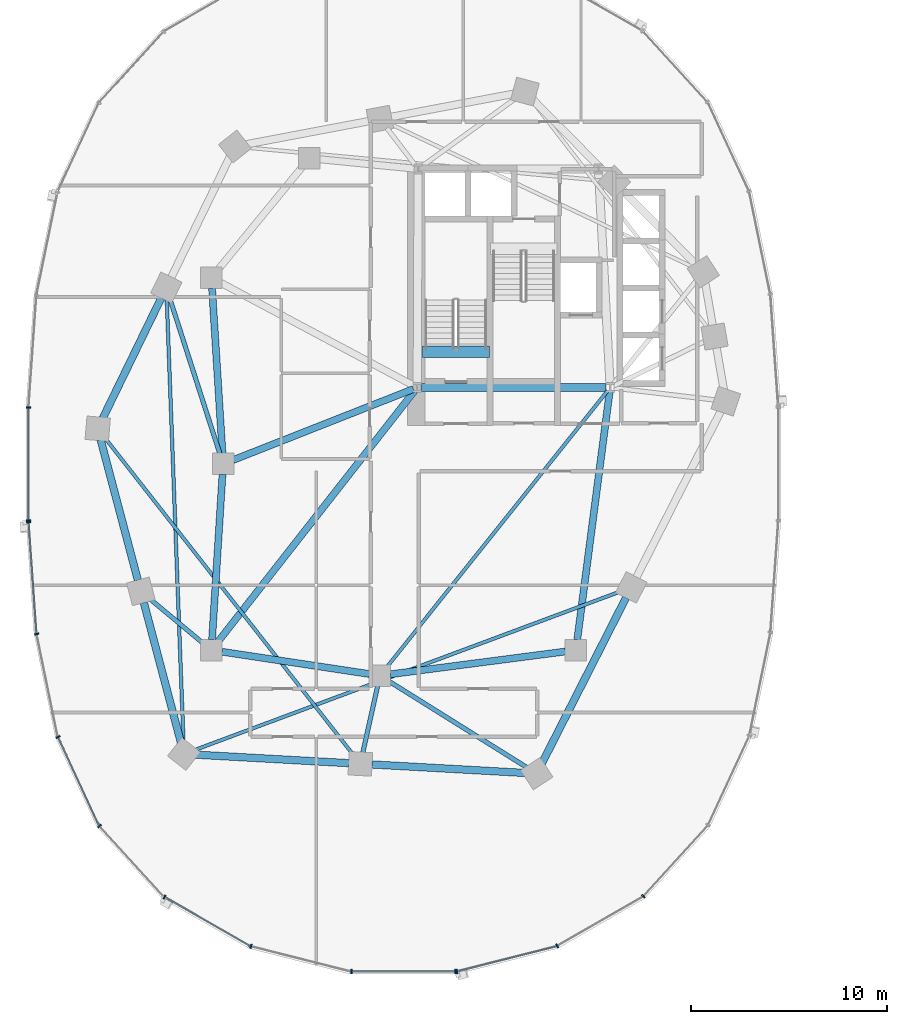
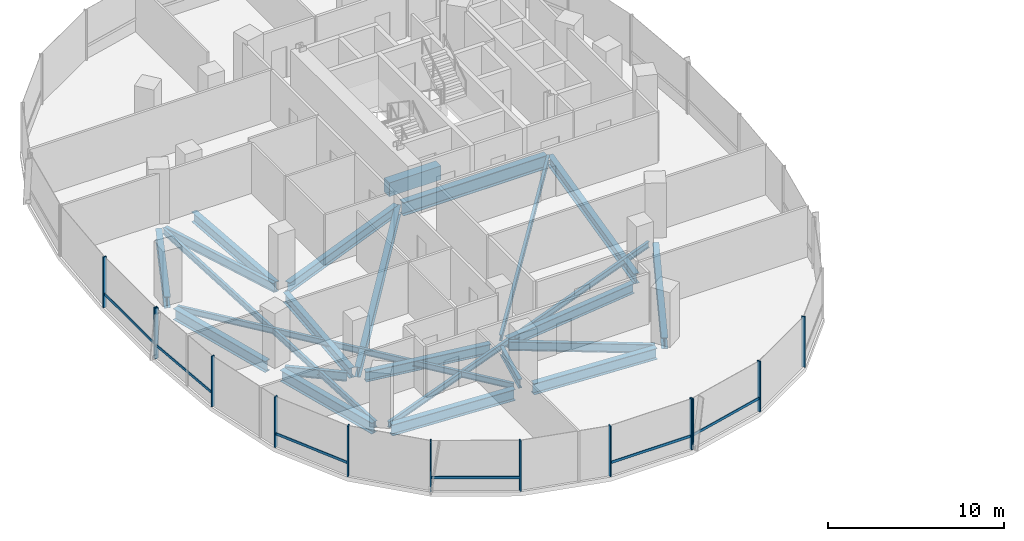
# One storey, part 2 of 22: 23 beams, 19 members, 3 elements without a shape of their own.
"""IFC4 building model written with IfcOpenShell, lengths in metres."""

from ifc_helpers import new_model, si_unit, direction, frame, origin, origin_2d, place, context, subcontext, project, spatial, rectangle, i_section, extrude, material, material_profile, profile_set, type_object, element, aggregate, save


model = new_model("IFC4")

# Units and contexts
model_context = context("Model", 3, precision=1e-05, world=origin(), true_north=direction((0.0, 1.0)))
body_context = subcontext(model_context, "Body", "Model", "MODEL_VIEW")
ifc_project = project(units=[si_unit("LENGTHUNIT", "METRE"), si_unit("AREAUNIT", "SQUARE_METRE"), si_unit("VOLUMEUNIT", "CUBIC_METRE"), si_unit("PLANEANGLEUNIT", "RADIAN"), si_unit("MASSUNIT", "GRAM", prefix="KILO"), si_unit("THERMODYNAMICTEMPERATUREUNIT", "KELVIN"), si_unit("POWERUNIT", "WATT")], contexts=[model_context])

# Site, building, storey
site_placement = place(None, origin())
site = spatial("IfcSite", under=ifc_project, at=site_placement, CompositionType="ELEMENT")
building_placement = place(site_placement, origin())
building = spatial("IfcBuilding", under=site, at=building_placement, Name="Cundina Bronze Exchange", CompositionType="ELEMENT")
storey_placement = place(building_placement, frame((0.0, 0.0, 39.199951171875)))
storey = spatial("IfcBuildingStorey", under=building, at=storey_placement, Name="L09", CompositionType="ELEMENT", Elevation=39.199951171875)

# Beams
ifc_material_1 = material(Name="Concrete C60/75", Category="concrete")
ifc_material_profile_1 = material_profile(ifc_material_1, rectangle(XDim=0.60009765625, YDim=0.949951171875, at=origin_2d()), Name="RC600X950", Category="concrete")
ifc_profile_set_1 = profile_set([ifc_material_profile_1], Name="Concrete C60/75")
beam_type_1 = type_object("IfcBeamType", Name="BM-COUP-RC950", PredefinedType="LINTEL", material=ifc_profile_set_1)
beam_1_placement = place(storey_placement, frame((-31.02001953125, 5.719970703125, -0.474853515625), z_axis=(1.0, 0.0, 0.0), x_axis=(0.0, 1.0, 0.0)))
element("IfcBeam", 1, at=beam_1_placement, inside=storey, type_object=beam_type_1, Name="L09 Stair W1 Landing Header Beam", PredefinedType="LINTEL", context=body_context, shape_type="SweptSolid", body=[
    extrude(rectangle(XDim=0.60009765625, YDim=0.949951171875, at=origin_2d()), origin(), (0.0, 0.0, 1.0), 3.39990234375),
])
ifc_material_2 = material(Name="Steel ASTM A992 Grade 50", Category="steel")
ifc_material_profile_2 = material_profile(ifc_material_2, i_section(OverallWidth=0.22998046875, OverallDepth=0.616943359375, WebThickness=0.01318359375, FlangeThickness=0.022216796875, FilletRadius=0.013916015625, at=origin_2d()), Name="W24X94", Category="steel")
ifc_profile_set_2 = profile_set([ifc_material_profile_2], Name="Steel ASTM A992 Grade 50")
beam_type_2 = type_object("IfcBeamType", Name="BM-FLR-W24B", PredefinedType="BEAM", material=ifc_profile_set_2)
beam_2_placement = place(storey_placement, frame((-41.364990234375, 0.51220703125, -0.6083984375), z_axis=(-0.306706454167, 0.951804155787, 0.0), x_axis=(-0.951804155787, -0.306706454167, 0.0)))
element("IfcBeam", 2, at=beam_2_placement, inside=storey, type_object=beam_type_2, Name="L09 Leg W Radial Floor Beam 07", PredefinedType="BEAM", context=body_context, shape_type="SweptSolid", body=[
    extrude(i_section(OverallWidth=0.22998046875, OverallDepth=0.616943359375, WebThickness=0.01318359375, FlangeThickness=0.022216796875, FilletRadius=0.013916015625, at=origin_2d()), origin(), (0.0, 0.0, 1.0), 8.329345703125),
])
beam_3_placement = place(storey_placement, frame((-42.21337890625, -9.155517578125, -0.6083984375), z_axis=(-0.768221279597, 0.640184399664, 0.0), x_axis=(-0.640184399664, -0.768221279597, 0.0)))
element("IfcBeam", 3, at=beam_3_placement, inside=storey, type_object=beam_type_2, Name="L09 Leg W Radial Floor Beam 09", PredefinedType="BEAM", context=body_context, shape_type="SweptSolid", body=[
    extrude(i_section(OverallWidth=0.22998046875, OverallDepth=0.616943359375, WebThickness=0.01318359375, FlangeThickness=0.022216796875, FilletRadius=0.013916015625, at=origin_2d()), origin(), (0.0, 0.0, 1.0), 3.56005859375),
])
beam_4_placement = place(storey_placement, frame((-33.316650390625, -11.3251953125, -0.6083984375), z_axis=(-0.216960137628, -0.976180464197, 0.0), x_axis=(0.976180464197, -0.216960137628, 0.0)))
element("IfcBeam", 4, at=beam_4_placement, inside=storey, type_object=beam_type_2, Name="L09 Leg W Radial Floor Beam 11", PredefinedType="BEAM", context=body_context, shape_type="SweptSolid", body=[
    extrude(i_section(OverallWidth=0.22998046875, OverallDepth=0.616943359375, WebThickness=0.01318359375, FlangeThickness=0.022216796875, FilletRadius=0.013916015625, at=origin_2d()), origin(), (0.0, 0.0, 1.0), 3.48388671875),
])
beam_5_placement = place(storey_placement, frame((-32.743896484375, -11.085205078125, -0.6083984375), z_axis=(0.848014812458, -0.529972525563, 0.0), x_axis=(0.529972525563, 0.848014812458, 0.0)))
element("IfcBeam", 5, at=beam_5_placement, inside=storey, type_object=beam_type_2, Name="L09 Leg W Radial Floor Beam 12", PredefinedType="BEAM", context=body_context, shape_type="SweptSolid", body=[
    extrude(i_section(OverallWidth=0.22998046875, OverallDepth=0.616943359375, WebThickness=0.01318359375, FlangeThickness=0.022216796875, FilletRadius=0.013916015625, at=origin_2d()), origin(), (0.0, 0.0, 1.0), 8.30810546875),
])
ifc_material_profile_3 = material_profile(ifc_material_2, i_section(OverallWidth=0.178955078125, OverallDepth=0.409912109375, WebThickness=0.0087890625, FlangeThickness=0.014404296875, FilletRadius=0.010986328125, at=origin_2d()), Name="W16X45", Category="steel")
ifc_profile_set_3 = profile_set([ifc_material_profile_3], Name="Steel ASTM A992 Grade 50")
beam_type_3 = type_object("IfcBeamType", Name="BM-JST-W16", PredefinedType="JOIST", material=ifc_profile_set_3)
beam_6_placement = place(storey_placement, frame((-21.577392578125, 3.740478515625, -0.5048828125), z_axis=(-0.62436887964, -0.781129632095, 0.0), x_axis=(0.781129632095, -0.62436887964, 0.0)))
element("IfcBeam", 6, at=beam_6_placement, inside=storey, type_object=beam_type_3, Name="L09 W Interior Core-to-Ring Joist 2", PredefinedType="JOIST", context=body_context, shape_type="SweptSolid", body=[
    extrude(i_section(OverallWidth=0.178955078125, OverallDepth=0.409912109375, WebThickness=0.0087890625, FlangeThickness=0.014404296875, FilletRadius=0.010986328125, at=origin_2d()), origin(), (0.0, 0.0, 1.0), 18.076904296875),
])
beam_7_placement = place(storey_placement, frame((-44.077880859375, 8.412353515625, -0.5048828125), z_axis=(0.037794949147, -0.999285515666, 0.0), x_axis=(0.999285515666, 0.037794949147, 0.0)))
element("IfcBeam", 7, at=beam_7_placement, inside=storey, type_object=beam_type_3, Name="L09 Leg W Lobe Floor Joist 07-10", PredefinedType="JOIST", context=body_context, shape_type="SweptSolid", body=[
    extrude(i_section(OverallWidth=0.178955078125, OverallDepth=0.409912109375, WebThickness=0.0087890625, FlangeThickness=0.014404296875, FilletRadius=0.010986328125, at=origin_2d()), origin(), (0.0, 0.0, 1.0), 22.640869140625),
])
beam_8_placement = place(storey_placement, frame((-47.2373046875, 1.337158203125, -0.5048828125), z_axis=(0.616803089524, -0.787117493614, 0.0), x_axis=(0.787117493614, 0.616803089524, 0.0)))
element("IfcBeam", 8, at=beam_8_placement, inside=storey, type_object=beam_type_3, Name="L09 Leg W Lobe Floor Joist 08-11", PredefinedType="JOIST", context=body_context, shape_type="SweptSolid", body=[
    extrude(i_section(OverallWidth=0.178955078125, OverallDepth=0.409912109375, WebThickness=0.0087890625, FlangeThickness=0.014404296875, FilletRadius=0.010986328125, at=origin_2d()), origin(), (0.0, 0.0, 1.0), 20.548828125),
])
beam_9_placement = place(storey_placement, frame((-42.64892578125, -14.5947265625, -0.5048828125), z_axis=(0.937127912449, 0.348986068074, 0.0), x_axis=(-0.348986068074, 0.937127912449, 0.0)))
element("IfcBeam", 9, at=beam_9_placement, inside=storey, type_object=beam_type_3, Name="L09 Leg W Lobe Floor Joist 10-13", PredefinedType="JOIST", context=body_context, shape_type="SweptSolid", body=[
    extrude(i_section(OverallWidth=0.178955078125, OverallDepth=0.409912109375, WebThickness=0.0087890625, FlangeThickness=0.014404296875, FilletRadius=0.010986328125, at=origin_2d()), origin(), (0.0, 0.0, 1.0), 23.18017578125),
])
ifc_material_profile_4 = material_profile(ifc_material_2, i_section(OverallWidth=0.35498046875, OverallDepth=0.695068359375, WebThickness=0.015380859375, FlangeThickness=0.02490234375, FilletRadius=0.01806640625, at=origin_2d()), Name="W27X146", Category="steel")
ifc_profile_set_4 = profile_set([ifc_material_profile_4], Name="Steel ASTM A992 Grade 50")
beam_type_4 = type_object("IfcBeamType", Name="BM-RING-W27", PredefinedType="USERDEFINED", material=ifc_profile_set_4)
for number, where, z_axis, x_axis, name in (
    (10, (-41.76611328125, 8.963134765625, -0.6474609375), (0.06303715519, -0.998011180832, 0.0), (0.998011180832, 0.06303715519, 0.0), "L09 W Inner Structural Ring Girder 03"),
    (11, (-41.23388671875, -0.536865234375, -0.6474609375), (-0.06303715519, -0.998011180832, 0.0), (0.998011180832, -0.06303715519, 0.0), "L09 W Inner Structural Ring Girder 04"),
):
    element("IfcBeam", number, at=place(storey_placement, frame(where, z_axis=z_axis, x_axis=x_axis)), inside=storey, type_object=beam_type_4, Name=name, ObjectType="GIRDER", PredefinedType="USERDEFINED", context=body_context, shape_type="SweptSolid", body=[
        extrude(i_section(OverallWidth=0.35498046875, OverallDepth=0.695068359375, WebThickness=0.015380859375, FlangeThickness=0.02490234375, FilletRadius=0.01806640625, at=origin_2d()), origin(), (0.0, 0.0, 1.0), 8.443115234375),
    ])
beam_10_placement = place(storey_placement, frame((-41.26806640625, -9.580322265625, -0.6474609375), z_axis=(0.988767489563, -0.149461873341, 0.0), x_axis=(0.149461873341, 0.988767489563, 0.0)))
element("IfcBeam", 12, at=beam_10_placement, inside=storey, type_object=beam_type_4, Name="L09 W Inner Structural Ring Girder 05", ObjectType="GIRDER", PredefinedType="USERDEFINED", context=body_context, shape_type="SweptSolid", body=[
    extrude(i_section(OverallWidth=0.35498046875, OverallDepth=0.695068359375, WebThickness=0.015380859375, FlangeThickness=0.02490234375, FilletRadius=0.01806640625, at=origin_2d()), origin(), (0.0, 0.0, 1.0), 7.621826171875),
])
beam_11_placement = place(storey_placement, frame((-32.66650390625, -10.730712890625, -0.6474609375), z_axis=(0.991654577907, 0.128923225666, 0.0), x_axis=(-0.128923225666, 0.991654577907, 0.0)))
element("IfcBeam", 13, at=beam_11_placement, inside=storey, type_object=beam_type_4, Name="L09 W Inner Structural Ring Girder 06", ObjectType="GIRDER", PredefinedType="USERDEFINED", context=body_context, shape_type="SweptSolid", body=[
    extrude(i_section(OverallWidth=0.35498046875, OverallDepth=0.695068359375, WebThickness=0.015380859375, FlangeThickness=0.02490234375, FilletRadius=0.01806640625, at=origin_2d()), origin(), (0.0, 0.0, 1.0), 9.00830078125),
])
beam_12_placement = place(storey_placement, frame((-23.13037109375, -8.966552734375, -0.6474609375), z_axis=(0.129507526533, 0.99157843894, 0.0), x_axis=(-0.99157843894, 0.129507526533, 0.0)))
element("IfcBeam", 14, at=beam_12_placement, inside=storey, type_object=beam_type_4, Name="L09 W Inner Structural Ring Girder 07", ObjectType="GIRDER", PredefinedType="USERDEFINED", context=body_context, shape_type="SweptSolid", body=[
    extrude(i_section(OverallWidth=0.35498046875, OverallDepth=0.695068359375, WebThickness=0.015380859375, FlangeThickness=0.02490234375, FilletRadius=0.01806640625, at=origin_2d()), origin(), (0.0, 0.0, 1.0), 12.77197265625),
])
beam_13_placement = place(storey_placement, frame((-31.48974609375, 3.8251953125, -0.6474609375), z_axis=(-0.930413235418, -0.366512225388, 0.0), x_axis=(0.366512225388, -0.930413235418, 0.0)))
element("IfcBeam", 15, at=beam_13_placement, inside=storey, type_object=beam_type_4, Name="L09 W Core-to-Waist Tie Beam 1", ObjectType="GIRDER", PredefinedType="USERDEFINED", context=body_context, shape_type="SweptSolid", body=[
    extrude(i_section(OverallWidth=0.35498046875, OverallDepth=0.695068359375, WebThickness=0.015380859375, FlangeThickness=0.02490234375, FilletRadius=0.01806640625, at=origin_2d()), origin(), (0.0, 0.0, 1.0), 9.8984375),
])
beam_14_placement = place(storey_placement, frame((-31.42578125, 3.739501953125, -0.6474609375), z_axis=(-0.616789275748, -0.787128318206, 0.0), x_axis=(0.787128318206, -0.616789275748, 0.0)))
element("IfcBeam", 16, at=beam_14_placement, inside=storey, type_object=beam_type_4, Name="L09 W Core-to-Waist Tie Beam 3", ObjectType="GIRDER", PredefinedType="USERDEFINED", context=body_context, shape_type="SweptSolid", body=[
    extrude(i_section(OverallWidth=0.35498046875, OverallDepth=0.695068359375, WebThickness=0.015380859375, FlangeThickness=0.02490234375, FilletRadius=0.01806640625, at=origin_2d()), origin(), (0.0, 0.0, 1.0), 16.281982421875),
])
ifc_material_profile_5 = material_profile(ifc_material_2, i_section(OverallWidth=0.381103515625, OverallDepth=0.77294921875, WebThickness=0.0166015625, FlangeThickness=0.027099609375, FilletRadius=0.01904296875, at=origin_2d()), Name="W30X173", Category="steel")
ifc_profile_set_5 = profile_set([ifc_material_profile_5], Name="Steel ASTM A992 Grade 50")
beam_type_5 = type_object("IfcBeamType", Name="BM-RING-W30", PredefinedType="USERDEFINED", material=ifc_profile_set_5)
beam_15_placement = place(storey_placement, frame((-44.357177734375, 8.47119140625, -0.6865234375), z_axis=(-0.437190698904, -0.899368830231, 0.0), x_axis=(0.899368830231, -0.437190698904, 0.0)))
element("IfcBeam", 17, at=beam_15_placement, inside=storey, type_object=beam_type_5, Name="L09 W Perimeter Ring Girder 07", ObjectType="GIRDER", PredefinedType="USERDEFINED", context=body_context, shape_type="SweptSolid", body=[
    extrude(i_section(OverallWidth=0.381103515625, OverallDepth=0.77294921875, WebThickness=0.0166015625, FlangeThickness=0.027099609375, FilletRadius=0.01904296875, at=origin_2d()), origin(), (0.0, 0.0, 1.0), 6.82958984375),
])
for number, where, z_axis, x_axis, name in (
    (18, (-47.44921875, 1.231689453125, -0.6865234375), (0.256177785604, -0.966629682021, 0.0), (0.966629682021, 0.256177785604, 0.0), "L09 W Perimeter Ring Girder 08"),
    (19, (-45.249267578125, -7.068359375, -0.6865234375), (0.256208567826, -0.966621523541, 0.0), (0.966621523541, 0.256208567826, 0.0), "L09 W Perimeter Ring Girder 09"),
):
    element("IfcBeam", number, at=place(storey_placement, frame(where, z_axis=z_axis, x_axis=x_axis)), inside=storey, type_object=beam_type_5, Name=name, ObjectType="GIRDER", PredefinedType="USERDEFINED", context=body_context, shape_type="SweptSolid", body=[
        extrude(i_section(OverallWidth=0.381103515625, OverallDepth=0.77294921875, WebThickness=0.0166015625, FlangeThickness=0.027099609375, FilletRadius=0.01904296875, at=origin_2d()), origin(), (0.0, 0.0, 1.0), 7.41064453125),
    ])
for number, where, z_axis, x_axis, name in (
    (20, (-42.61279296875, -14.83251953125, -0.6865234375), (0.998459969805, -0.055476920391, 0.0), (0.055476920391, 0.998459969805, 0.0), "L09 W Perimeter Ring Girder 10"),
    (21, (-33.61279296875, -15.33251953125, -0.6865234375), (0.998459969805, -0.055476920391, 0.0), (0.055476920391, 0.998459969805, 0.0), "L09 W Perimeter Ring Girder 11"),
):
    element("IfcBeam", number, at=place(storey_placement, frame(where, z_axis=z_axis, x_axis=x_axis)), inside=storey, type_object=beam_type_5, Name=name, ObjectType="GIRDER", PredefinedType="USERDEFINED", context=body_context, shape_type="SweptSolid", body=[
        extrude(i_section(OverallWidth=0.381103515625, OverallDepth=0.77294921875, WebThickness=0.0166015625, FlangeThickness=0.027099609375, FilletRadius=0.01904296875, at=origin_2d()), origin(), (0.0, 0.0, 1.0), 7.837646484375),
    ])
beam_16_placement = place(storey_placement, frame((-24.93359375, -15.275634765625, -0.6865234375), z_axis=(0.452819633606, 0.891602141889, 0.0), x_axis=(-0.891602141889, 0.452819633606, 0.0)))
element("IfcBeam", 22, at=beam_16_placement, inside=storey, type_object=beam_type_5, Name="L09 W Perimeter Ring Girder 12", ObjectType="GIRDER", PredefinedType="USERDEFINED", context=body_context, shape_type="SweptSolid", body=[
    extrude(i_section(OverallWidth=0.381103515625, OverallDepth=0.77294921875, WebThickness=0.0166015625, FlangeThickness=0.027099609375, FilletRadius=0.01904296875, at=origin_2d()), origin(), (0.0, 0.0, 1.0), 9.47900390625),
])
ifc_material_profile_6 = material_profile(ifc_material_2, i_section(OverallWidth=0.41796875, OverallDepth=0.927001953125, WebThickness=0.019287109375, FlangeThickness=0.031982421875, FilletRadius=0.02392578125, at=origin_2d()), Name="W36X231", Category="steel")
ifc_profile_set_6 = profile_set([ifc_material_profile_6], Name="Steel ASTM A992 Grade 50")
beam_type_6 = type_object("IfcBeamType", Name="BM-WRN-W36B", PredefinedType="USERDEFINED", material=ifc_profile_set_6)
beam_17_placement = place(storey_placement, frame((-31.095947265625, 3.89990234375, -0.763427734375), z_axis=(1.0, 0.0, 0.0), x_axis=(0.0, 1.0, 0.0)))
element("IfcBeam", 23, at=beam_17_placement, inside=storey, type_object=beam_type_6, Name="L09 W Core Perimeter Tie Girder 1", ObjectType="GIRDER", PredefinedType="USERDEFINED", context=body_context, shape_type="SweptSolid", body=[
    extrude(i_section(OverallWidth=0.41796875, OverallDepth=0.927001953125, WebThickness=0.019287109375, FlangeThickness=0.031982421875, FilletRadius=0.02392578125, at=origin_2d()), origin(), (0.0, 0.0, 1.0), 9.44189453125),
])

# Curtain wall, members
ifc_material_3 = material(Name="Anodised Bronze Aluminium 6063-T6", Category="aluminium")
curtain_wall_type = type_object("IfcCurtainWallType", Name="CWS-TRD-LOW", PredefinedType="NOTDEFINED", material=ifc_material_3)
curtain_wall_1_placement = place(storey_placement, origin())
curtain_wall_1 = element("IfcCurtainWall", 24, at=curtain_wall_1_placement, inside=storey, type_object=curtain_wall_type, Name="L09 CW-02 Curtain Wall Run CWR-L09-W2", PredefinedType="NOTDEFINED")
ifc_material_profile_7 = material_profile(ifc_material_3, rectangle(XDim=0.074951171875, YDim=0.219970703125, at=origin_2d()), Name="AL75X220", Category="aluminium")
ifc_profile_set_7 = profile_set([ifc_material_profile_7], Name="Anodised Bronze Aluminium 6063-T6")
member_type_1 = type_object("IfcMemberType", Name="CWM-MUL-220", PredefinedType="MULLION", material=ifc_profile_set_7)
member_1_placement = place(storey_placement, frame((-51.1279296875, 2.880615234375, 0.0), z_axis=(0.0, 0.0, 1.0), x_axis=(0.0, -1.0, 0.0)))
member_1 = element("IfcMember", 25, at=member_1_placement, type_object=member_type_1, Name="CW-02 Mullion 7", PredefinedType="MULLION", context=body_context, shape_type="SweptSolid", body=[
    extrude(rectangle(XDim=0.074951171875, YDim=0.219970703125, at=origin_2d()), origin(), (0.0, 0.0, 1.0), 3.5),
])
member_2_placement = place(storey_placement, frame((-51.1279296875, -2.880615234375, 0.0), z_axis=(0.0, 0.0, 1.0), x_axis=(0.0, -1.0, 0.0)))
member_2 = element("IfcMember", 26, at=member_2_placement, type_object=member_type_1, Name="CW-02 End Mullion", PredefinedType="MULLION", context=body_context, shape_type="SweptSolid", body=[
    extrude(rectangle(XDim=0.074951171875, YDim=0.219970703125, at=origin_2d()), origin(), (0.0, 0.0, 1.0), 3.5),
])

curtain_wall_2_placement = place(storey_placement, origin())
curtain_wall_2 = element("IfcCurtainWall", 27, at=curtain_wall_2_placement, inside=storey, type_object=curtain_wall_type, Name="L09 CW-02 Curtain Wall Run CWR-L09-W3", PredefinedType="NOTDEFINED")
member_3_placement = place(storey_placement, frame((-51.12451171875, -2.976318359375, 0.0), z_axis=(0.0, 0.0, 1.0), x_axis=(0.070278787473, -0.997527389113, 0.0)))
member_3 = element("IfcMember", 28, at=member_3_placement, type_object=member_type_1, Name="CW-02 Mullion 1", PredefinedType="MULLION", context=body_context, shape_type="SweptSolid", body=[
    extrude(rectangle(XDim=0.074951171875, YDim=0.219970703125, at=origin_2d()), origin(), (0.0, 0.0, 1.0), 3.5),
])
member_4_placement = place(storey_placement, frame((-50.717041015625, -8.67822265625, 0.0), z_axis=(0.0, 0.0, 1.0), x_axis=(0.201419845156, -0.979505000486, 0.0)))
member_4 = element("IfcMember", 29, at=member_4_placement, type_object=member_type_1, Name="CW-02 Mullion 2", PredefinedType="MULLION", context=body_context, shape_type="SweptSolid", body=[
    extrude(rectangle(XDim=0.074951171875, YDim=0.219970703125, at=origin_2d()), origin(), (0.0, 0.0, 1.0), 3.5),
])
member_5_placement = place(storey_placement, frame((-49.6279296875, -13.931884765625, 0.0), z_axis=(0.0, 0.0, 1.0), x_axis=(0.42087749791, -0.907117485088, 0.0)))
member_5 = element("IfcMember", 30, at=member_5_placement, type_object=member_type_1, Name="CW-02 Mullion 3", PredefinedType="MULLION", context=body_context, shape_type="SweptSolid", body=[
    extrude(rectangle(XDim=0.074951171875, YDim=0.219970703125, at=origin_2d()), origin(), (0.0, 0.0, 1.0), 3.5),
])
member_6_placement = place(storey_placement, frame((-47.508544921875, -18.47705078125, 0.0), z_axis=(0.0, 0.0, 1.0), x_axis=(0.674302387584, -0.738455340626, 0.0)))
member_6 = element("IfcMember", 31, at=member_6_placement, type_object=member_type_1, Name="CW-02 Mullion 4", PredefinedType="MULLION", context=body_context, shape_type="SweptSolid", body=[
    extrude(rectangle(XDim=0.074951171875, YDim=0.219970703125, at=origin_2d()), origin(), (0.0, 0.0, 1.0), 3.5),
])
member_7_placement = place(storey_placement, frame((-44.189697265625, -22.097412109375, 0.0), z_axis=(0.0, 0.0, 1.0), x_axis=(0.867070701164, -0.498185105339, 0.0)))
member_7 = element("IfcMember", 32, at=member_7_placement, type_object=member_type_1, Name="CW-02 Mullion 5", PredefinedType="MULLION", context=body_context, shape_type="SweptSolid", body=[
    extrude(rectangle(XDim=0.074951171875, YDim=0.219970703125, at=origin_2d()), origin(), (0.0, 0.0, 1.0), 3.5),
])
member_8_placement = place(storey_placement, frame((-39.78515625, -24.61669921875, 0.0), z_axis=(0.0, 0.0, 1.0), x_axis=(0.969488149345, -0.245138182011, 0.0)))
member_8 = element("IfcMember", 33, at=member_8_placement, type_object=member_type_1, Name="CW-02 Mullion 6", PredefinedType="MULLION", context=body_context, shape_type="SweptSolid", body=[
    extrude(rectangle(XDim=0.074951171875, YDim=0.219970703125, at=origin_2d()), origin(), (0.0, 0.0, 1.0), 3.5),
])
member_9_placement = place(storey_placement, frame((-34.654541015625, -25.905029296875, 0.0), z_axis=(0.0, 0.0, 1.0), x_axis=(1.0, 0.0, 0.0)))
member_9 = element("IfcMember", 34, at=member_9_placement, type_object=member_type_1, Name="CW-02 Mullion 7", PredefinedType="MULLION", context=body_context, shape_type="SweptSolid", body=[
    extrude(rectangle(XDim=0.074951171875, YDim=0.219970703125, at=origin_2d()), origin(), (0.0, 0.0, 1.0), 3.5),
])
member_10_placement = place(storey_placement, frame((-29.345458984375, -25.905029296875, 0.0), z_axis=(0.0, 0.0, 1.0), x_axis=(1.0, 0.0, 0.0)))
member_10 = element("IfcMember", 35, at=member_10_placement, type_object=member_type_1, Name="CW-02 End Mullion", PredefinedType="MULLION", context=body_context, shape_type="SweptSolid", body=[
    extrude(rectangle(XDim=0.074951171875, YDim=0.219970703125, at=origin_2d()), origin(), (0.0, 0.0, 1.0), 3.5),
])

curtain_wall_3_placement = place(storey_placement, origin())
curtain_wall_3 = element("IfcCurtainWall", 36, at=curtain_wall_3_placement, inside=storey, type_object=curtain_wall_type, Name="L09 CW-02 Curtain Wall Run CWR-L09-W4", PredefinedType="NOTDEFINED")
member_11_placement = place(storey_placement, frame((-29.27392578125, -25.89599609375, 0.0), z_axis=(0.0, 0.0, 1.0), x_axis=(0.969488149345, 0.245138182011, 0.0)))
member_11 = element("IfcMember", 37, at=member_11_placement, type_object=member_type_1, Name="CW-02 Mullion 1", PredefinedType="MULLION", context=body_context, shape_type="SweptSolid", body=[
    extrude(rectangle(XDim=0.074951171875, YDim=0.219970703125, at=origin_2d()), origin(), (0.0, 0.0, 1.0), 3.5),
])
member_12_placement = place(storey_placement, frame((-24.151123046875, -24.591064453125, 0.0), z_axis=(0.0, 0.0, 1.0), x_axis=(0.867070701164, 0.498185105339, 0.0)))
member_12 = element("IfcMember", 38, at=member_12_placement, type_object=member_type_1, Name="CW-02 Mullion 2", PredefinedType="MULLION", context=body_context, shape_type="SweptSolid", body=[
    extrude(rectangle(XDim=0.074951171875, YDim=0.219970703125, at=origin_2d()), origin(), (0.0, 0.0, 1.0), 3.5),
])
member_13_placement = place(storey_placement, frame((-19.760498046875, -22.0576171875, 0.0), z_axis=(0.0, 0.0, 1.0), x_axis=(0.674302387584, 0.738455340626, 0.0)))
member_13 = element("IfcMember", 39, at=member_13_placement, type_object=member_type_1, Name="CW-02 Mullion 3", PredefinedType="MULLION", context=body_context, shape_type="SweptSolid", body=[
    extrude(rectangle(XDim=0.074951171875, YDim=0.219970703125, at=origin_2d()), origin(), (0.0, 0.0, 1.0), 3.5),
])

# Member
ifc_material_profile_8 = material_profile(ifc_material_3, rectangle(XDim=0.070068359375, YDim=0.179931640625, at=origin_2d()), Name="AL70X180", Category="aluminium")
ifc_profile_set_8 = profile_set([ifc_material_profile_8], Name="Anodised Bronze Aluminium 6063-T6")
member_type_2 = type_object("IfcMemberType", Name="CWM-TRN-180", PredefinedType="USERDEFINED", material=ifc_profile_set_8)
member_14_placement = place(storey_placement, frame((-51.1279296875, 2.839111328125, 0.920166015625), z_axis=(0.0, -1.0, 0.0), x_axis=(1.0, 0.0, 0.0)))
member_14 = element("IfcMember", 40, at=member_14_placement, type_object=member_type_2, Name="CW-02 Spandrel Transom 7", ObjectType="TRANSOM", PredefinedType="USERDEFINED", context=body_context, shape_type="SweptSolid", body=[
    extrude(rectangle(XDim=0.070068359375, YDim=0.179931640625, at=origin_2d()), origin(), (0.0, 0.0, 1.0), 5.67822265625),
])

aggregate(curtain_wall_1, [member_1, member_2, member_14])

member_15_placement = place(storey_placement, frame((-51.12158203125, -3.017333984375, 0.920166015625), z_axis=(0.070260714471, -0.997528662246, 0.0), x_axis=(0.997528662246, 0.070260714471, 0.0)))
member_15 = element("IfcMember", 41, at=member_15_placement, type_object=member_type_2, Name="CW-02 Spandrel Transom 1", ObjectType="TRANSOM", PredefinedType="USERDEFINED", context=body_context, shape_type="SweptSolid", body=[
    extrude(rectangle(XDim=0.070068359375, YDim=0.179931640625, at=origin_2d()), origin(), (0.0, 0.0, 1.0), 5.629150390625),
])

member_16_placement = place(storey_placement, frame((-49.610595703125, -13.96923828125, 0.920166015625), z_axis=(0.420811422796, -0.907148139195, 0.0), x_axis=(0.907148139195, 0.420811422796, 0.0)))
member_16 = element("IfcMember", 42, at=member_16_placement, type_object=member_type_2, Name="CW-02 Spandrel Transom 3", ObjectType="TRANSOM", PredefinedType="USERDEFINED", context=body_context, shape_type="SweptSolid", body=[
    extrude(rectangle(XDim=0.070068359375, YDim=0.179931640625, at=origin_2d()), origin(), (0.0, 0.0, 1.0), 4.95166015625),
])

member_17_placement = place(storey_placement, frame((-44.154052734375, -22.117919921875, 0.920166015625), z_axis=(0.867097475651, -0.498138502546, 0.0), x_axis=(0.498138502546, 0.867097475651, 0.0)))
member_17 = element("IfcMember", 43, at=member_17_placement, type_object=member_type_2, Name="CW-02 Spandrel Transom 5", ObjectType="TRANSOM", PredefinedType="USERDEFINED", context=body_context, shape_type="SweptSolid", body=[
    extrude(rectangle(XDim=0.070068359375, YDim=0.179931640625, at=origin_2d()), origin(), (0.0, 0.0, 1.0), 5.00634765625),
])

member_18_placement = place(storey_placement, frame((-34.61328125, -25.905029296875, 0.920166015625), z_axis=(1.0, 0.0, 0.0), x_axis=(0.0, 1.0, 0.0)))
member_18 = element("IfcMember", 44, at=member_18_placement, type_object=member_type_2, Name="CW-02 Spandrel Transom 7", ObjectType="TRANSOM", PredefinedType="USERDEFINED", context=body_context, shape_type="SweptSolid", body=[
    extrude(rectangle(XDim=0.070068359375, YDim=0.179931640625, at=origin_2d()), origin(), (0.0, 0.0, 1.0), 5.2265625),
])

aggregate(curtain_wall_2, [member_3, member_15, member_4, member_5, member_16, member_6, member_7, member_17, member_8, member_9, member_10, member_18])

member_19_placement = place(storey_placement, frame((-29.23388671875, -25.885986328125, 0.920166015625), z_axis=(0.969483968866, 0.245154714644, 0.0), x_axis=(-0.245154714644, 0.969483968866, 0.0)))
member_19 = element("IfcMember", 45, at=member_19_placement, type_object=member_type_2, Name="CW-02 Spandrel Transom 1", ObjectType="TRANSOM", PredefinedType="USERDEFINED", context=body_context, shape_type="SweptSolid", body=[
    extrude(rectangle(XDim=0.070068359375, YDim=0.179931640625, at=origin_2d()), origin(), (0.0, 0.0, 1.0), 5.21826171875),
])

aggregate(curtain_wall_3, [member_11, member_19, member_12, member_13])

save(model, "model.ifc")
